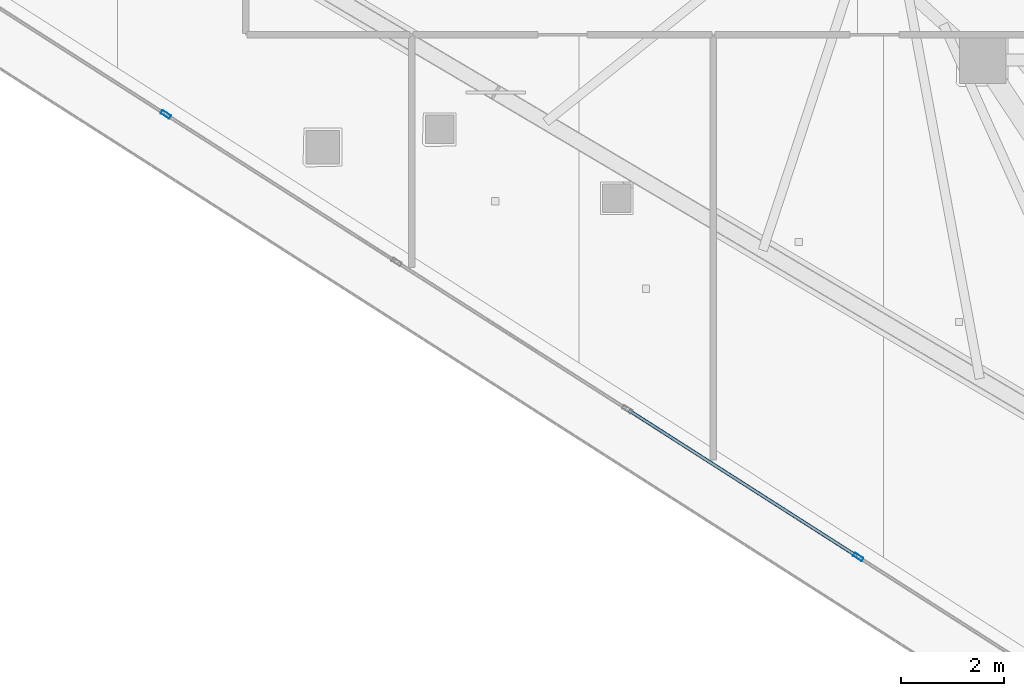
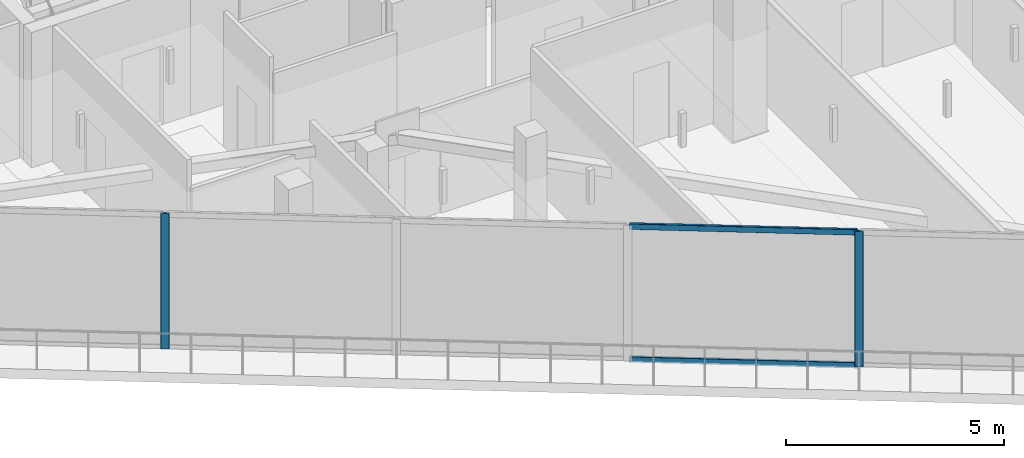
# One storey, part 2 of 40: 4 members, 1 element without a shape of its own.
"""IFC4 building model written with IfcOpenShell, lengths in metres."""

import ifcopenshell
import ifcopenshell.guid

model = None  # the IFC model being written
_history = None  # IfcOwnerHistory: only IFC2X3 demands one
_inside = {}  # id of a spatial element -> (the spatial element, [elements in it])
_under = {}  # id of a project, library or spatial element -> (it, [spatial elements below it])
_declared = {}  # id of a project -> (the project, [libraries it declares])
_typed = {}  # id of a type object -> (the type object, [elements of that type])
_made_of = {}  # id of a material, layer set ... -> (it, [elements and type objects made of it])


def new_model(schema):
    """Start an empty IFC model of exactly this schema.

    Asked for "IFC4X3", IfcOpenShell would pick the latest addendum, in which some entities
    have other attributes; the version numbers below select the first issue.
    IFC2X3 requires an IfcOwnerHistory on every rooted entity: one is made here for all.
    """
    global model, _history
    if schema == "IFC4X3":
        model = ifcopenshell.file(schema_version=(4, 3, 0, 0))
    else:
        model = ifcopenshell.file(schema=schema)
    _inside.clear()
    _under.clear()
    _declared.clear()
    _typed.clear()
    _made_of.clear()
    _history = None
    if model.schema == "IFC2X3":
        org = make("IfcOrganization", Name="unknown")
        user = make(
            "IfcPersonAndOrganization",
            ThePerson=make("IfcPerson", FamilyName="unknown"),
            TheOrganization=org,
        )
        app = make(
            "IfcApplication",
            ApplicationDeveloper=org,
            Version="unknown",
            ApplicationFullName="unknown",
            ApplicationIdentifier="unknown",
        )
        _history = make(
            "IfcOwnerHistory",
            OwningUser=user,
            OwningApplication=app,
            ChangeAction="ADDED",
            CreationDate=0,
        )
    return model


def make(cls, **values):
    """One entity of the class cls with the attributes given. An attribute that is None is left unset."""
    return model.create_entity(
        cls, **{name: value for name, value in values.items() if value is not None}
    )


def rooted(cls, **values):
    """An entity with a GlobalId (a new one), such as an element, a storey or a relation."""
    return make(cls, GlobalId=ifcopenshell.guid.new(), OwnerHistory=_history, **values)


def si_unit(unit_type, name, prefix=None):
    """IfcSIUnit, for example si_unit("LENGTHUNIT", "METRE", prefix="MILLI")."""
    return make("IfcSIUnit", UnitType=unit_type, Prefix=prefix, Name=name)


def assignment(units):
    """IfcUnitAssignment: the units of a project."""
    return None if units is None else make("IfcUnitAssignment", Units=units)


def point(xyz):
    """IfcCartesianPoint."""
    return None if xyz is None else make("IfcCartesianPoint", Coordinates=xyz)


def direction(xyz):
    """IfcDirection."""
    return None if xyz is None else make("IfcDirection", DirectionRatios=xyz)


def frame(location, z_axis=None, x_axis=None):
    """IfcAxis2Placement3D, a coordinate frame: its origin and axes. An axis left out is left unset."""
    return make(
        "IfcAxis2Placement3D",
        Location=point(location),
        Axis=direction(z_axis),
        RefDirection=direction(x_axis),
    )


def frame_2d(location, x_axis=None):
    """IfcAxis2Placement2D, a coordinate frame in the plane: its origin and x axis."""
    return make(
        "IfcAxis2Placement2D", Location=point(location), RefDirection=direction(x_axis)
    )


def origin():
    """The frame at (0, 0, 0) with its axes left unset."""
    return frame((0.0, 0.0, 0.0))


def origin_2d():
    """The frame at (0, 0) in the plane with its x axis left unset."""
    return frame_2d((0.0, 0.0))


def place(relative_to, where):
    """IfcLocalPlacement: puts the frame where relative to a parent placement (None: the world)."""
    return make(
        "IfcLocalPlacement", PlacementRelTo=relative_to, RelativePlacement=where
    )


def context(
    kind, dimensions, precision=None, world=None, true_north=None, identifier=None
):
    """IfcGeometricRepresentationContext, for example the 3D "Model" context."""
    return make(
        "IfcGeometricRepresentationContext",
        ContextIdentifier=identifier,
        ContextType=kind,
        CoordinateSpaceDimension=dimensions,
        Precision=precision,
        WorldCoordinateSystem=world,
        TrueNorth=true_north,
    )


def subcontext(parent, identifier, kind, view, scale=None):
    """IfcGeometricRepresentationSubContext, for example "Body" below "Model"."""
    return make(
        "IfcGeometricRepresentationSubContext",
        ContextIdentifier=identifier,
        ContextType=kind,
        ParentContext=parent,
        TargetScale=scale,
        TargetView=view,
    )


def project(units=None, contexts=None):
    """IfcProject with its units and contexts."""
    return rooted(
        "IfcProject",
        Name="project",
        RepresentationContexts=contexts,
        UnitsInContext=assignment(units),
    )


def spatial(cls, under=None, at=None, **own):
    """A site, building, storey or space (cls), placed at a placement, below another one or the project."""
    s = rooted(cls, ObjectPlacement=at, **own)
    if under is not None:
        _under.setdefault(under.id(), (under, []))[1].append(s)
    return s


def profile(cls, at=None, kind="AREA", **sizes):
    """A parametric profile (cls). Its sizes go by their IFC names, for example OverallWidth=200.0."""
    return make(cls, ProfileType=kind, Position=at, **sizes)


def hollow_rectangle(**sizes):
    """IfcRectangleHollowProfileDef."""
    return profile("IfcRectangleHollowProfileDef", **sizes)


def extrude(swept, where, along, depth):
    """IfcExtrudedAreaSolid: the profile swept, set in the frame where, extruded along a direction by depth."""
    return make(
        "IfcExtrudedAreaSolid",
        SweptArea=swept,
        Position=where,
        ExtrudedDirection=direction(along),
        Depth=depth,
    )


def shape(context_of_items, identifier, shape_type, items):
    """IfcShapeRepresentation: the items that make up one representation, for example the "Body"."""
    return make(
        "IfcShapeRepresentation",
        ContextOfItems=context_of_items,
        RepresentationIdentifier=identifier,
        RepresentationType=shape_type,
        Items=items,
    )


def material(Name=None, Category=None):
    """IfcMaterial."""
    return make("IfcMaterial", Name=Name, Category=Category)


def layer(
    of_material, thickness, ventilated=None, Name=None, Category=None, Priority=None
):
    """IfcMaterialLayer: one layer of a wall or slab, of a material (None: an air gap)."""
    return make(
        "IfcMaterialLayer",
        Material=of_material,
        LayerThickness=thickness,
        IsVentilated=ventilated,
        Name=Name,
        Category=Category,
        Priority=Priority,
    )


def layer_set(layers, Name=None):
    """IfcMaterialLayerSet."""
    return make("IfcMaterialLayerSet", MaterialLayers=layers, LayerSetName=Name)


def material_profile(
    of_material, cross_section, Name=None, Category=None, Priority=None
):
    """IfcMaterialProfile: a cross section and its material."""
    return make(
        "IfcMaterialProfile",
        Name=Name,
        Material=of_material,
        Profile=cross_section,
        Priority=Priority,
        Category=Category,
    )


def profile_set(profiles, Name=None, composite=None):
    """IfcMaterialProfileSet."""
    return make(
        "IfcMaterialProfileSet",
        Name=Name,
        MaterialProfiles=profiles,
        CompositeProfile=composite,
    )


def made_of(thing, what):
    """Note that an element or type object is made of a material, layer set ...; save() writes the relation."""
    if what is not None:
        _made_of.setdefault(what.id(), (what, []))[1].append(thing)
    return thing


def type_object(cls, material=None, **own):
    """A type object (cls), such as IfcWallType, which elements share."""
    return made_of(rooted(cls, **own), material)


def element(
    cls,
    number,
    at=None,
    inside=None,
    cuts=None,
    type_object=None,
    material=None,
    context=None,
    identifier="Body",
    shape_type=None,
    held_by="IfcProductDefinitionShape",
    body=None,
    shapes=None,
    **own,
):
    """One element of the class cls, such as IfcWall. Its Tag is "e" and its number.

    at: its placement. inside: the storey or other place that contains it. cuts: it is an
    opening in that element (IfcRelVoidsElement). A single representation is given by context,
    identifier, shape_type and body (its items); several are given by shapes. held_by: the class
    of the entity that holds the representations. save() writes the other relations.
    """
    e = rooted(cls, Tag="e%d" % number, ObjectPlacement=at, **own)
    if body is not None:
        shapes = [shape(context, identifier, shape_type, body)]
    if shapes is not None:
        e.Representation = make(held_by, Representations=shapes)
    if inside is not None:
        _inside.setdefault(inside.id(), (inside, []))[1].append(e)
    if cuts is not None:
        rooted(
            "IfcRelVoidsElement", RelatingBuildingElement=cuts, RelatedOpeningElement=e
        )
    if type_object is not None:
        _typed.setdefault(type_object.id(), (type_object, []))[1].append(e)
    return made_of(e, material)


def aggregate(whole, parts):
    """IfcRelAggregates: a whole, such as a stair, and the parts it consists of."""
    return rooted("IfcRelAggregates", RelatingObject=whole, RelatedObjects=parts)


def save(model, path):
    """Write the relations noted so far, then the file.

    IfcRelAggregates (storeys below a building ...), IfcRelContainedInSpatialStructure (elements
    in a storey), IfcRelDefinesByType, IfcRelAssociatesMaterial and IfcRelDeclares: one each for
    every whole, place, type object, material and project.
    """
    for whole, parts in _under.values():
        aggregate(whole, parts)
    for where, things in _inside.values():
        rooted(
            "IfcRelContainedInSpatialStructure",
            RelatedElements=things,
            RelatingStructure=where,
        )
    for kind, things in _typed.values():
        rooted("IfcRelDefinesByType", RelatedObjects=things, RelatingType=kind)
    for what, things in _made_of.values():
        rooted("IfcRelAssociatesMaterial", RelatedObjects=things, RelatingMaterial=what)
    for by, libraries in _declared.values():
        rooted("IfcRelDeclares", RelatingContext=by, RelatedDefinitions=libraries)
    model.write(path)


model = new_model("IFC4")

# Units and contexts
model_context = context("Model", 3, precision=1e-05, world=origin(), true_north=direction((0.0, 1.0)))
body_context = subcontext(model_context, "Body", "Model", "MODEL_VIEW")
ifc_project = project(units=[si_unit("LENGTHUNIT", "METRE"), si_unit("AREAUNIT", "SQUARE_METRE"), si_unit("VOLUMEUNIT", "CUBIC_METRE"), si_unit("PLANEANGLEUNIT", "RADIAN"), si_unit("MASSUNIT", "GRAM", prefix="KILO")], contexts=[model_context])

# Site, building, storey
site_placement = place(None, origin())
site = spatial("IfcSite", under=ifc_project, at=site_placement, CompositionType="ELEMENT")
building_placement = place(site_placement, origin())
building = spatial("IfcBuilding", under=site, at=building_placement, Name="Qorvath Tower", CompositionType="ELEMENT")
storey_placement = place(building_placement, frame((0.0, 0.0, 225.300048828125)))
storey = spatial("IfcBuildingStorey", under=building, at=storey_placement, Name="L52", CompositionType="ELEMENT", Elevation=225.300048828125)

# Curtain wall, members
ifc_material_1 = material(Name="Anodised aluminium and triple low-E glass", Category="aluminium")
ifc_layer = layer(ifc_material_1, 0.179931640625)
ifc_layer_set = layer_set([ifc_layer], Name="CW-SYS-5")
curtain_wall_type = type_object("IfcCurtainWallType", Name="CW-SYS-5", PredefinedType="NOTDEFINED", material=ifc_layer_set)
curtain_wall_placement = place(storey_placement, origin())
curtain_wall = element("IfcCurtainWall", 1, at=curtain_wall_placement, inside=storey, type_object=curtain_wall_type, Name="Curtain Wall CW-5 CW-T-L52-4.1", PredefinedType="NOTDEFINED")
ifc_material_2 = material(Name="Anodised aluminium 6063-T6", Category="aluminium")
ifc_material_profile_1 = material_profile(ifc_material_2, hollow_rectangle(XDim=0.074951171875, YDim=0.199951171875, WallThickness=0.00390625, InnerFilletRadius=0.00390625, OuterFilletRadius=0.008056640625, at=origin_2d()), Name="CWM 200x75")
ifc_profile_set_1 = profile_set([ifc_material_profile_1], Name="Anodised aluminium 6063-T6")
member_type_1 = type_object("IfcMemberType", Name="CWM-200", PredefinedType="MULLION", material=ifc_profile_set_1)
member_1_placement = place(storey_placement, frame((-39.405029296875, -12.50341796875, 0.0), z_axis=(0.0, 0.0, 1.0), x_axis=(0.538529366974, 0.84260674155, 0.0)))
member_1 = element("IfcMember", 2, at=member_1_placement, type_object=member_type_1, Name="CW-5 mullion 3", PredefinedType="MULLION", context=body_context, shape_type="SweptSolid", body=[
    extrude(hollow_rectangle(XDim=0.074951171875, YDim=0.199951171875, WallThickness=0.00390625, InnerFilletRadius=0.00390625, OuterFilletRadius=0.008056640625, at=origin_2d()), origin(), (0.0, 0.0, 1.0), 3.780029296875),
])
member_2_placement = place(storey_placement, frame((-26.007080078125, -21.066162109375, 0.0), z_axis=(0.0, 0.0, 1.0), x_axis=(0.538529366974, 0.84260674155, 0.0)))
member_2 = element("IfcMember", 3, at=member_2_placement, type_object=member_type_1, Name="CW-5 mullion 6", PredefinedType="MULLION", context=body_context, shape_type="SweptSolid", body=[
    extrude(hollow_rectangle(XDim=0.074951171875, YDim=0.199951171875, WallThickness=0.00390625, InnerFilletRadius=0.00390625, OuterFilletRadius=0.008056640625, at=origin_2d()), origin(), (0.0, 0.0, 1.0), 3.780029296875),
])
ifc_material_3 = material(Name="Anodised aluminium 6063-T6", Category="aluminium")
ifc_material_profile_2 = material_profile(ifc_material_3, hollow_rectangle(XDim=0.06494140625, YDim=0.159912109375, WallThickness=0.00341796875, InnerFilletRadius=0.00341796875, OuterFilletRadius=0.007080078125, at=origin_2d()), Name="CWT 160x65")
ifc_profile_set_2 = profile_set([ifc_material_profile_2], Name="Anodised aluminium 6063-T6")
member_type_2 = type_object("IfcMemberType", Name="CWT-160", PredefinedType="USERDEFINED", material=ifc_profile_set_2)
member_3_placement = place(storey_placement, frame((-30.44140625, -18.232177734375, 0.032470703125), z_axis=(0.842605566515, -0.538531205482, 0.0), x_axis=(0.538531205482, 0.842605566515, 0.0)))
member_3 = element("IfcMember", 4, at=member_3_placement, type_object=member_type_2, Name="CW-5 transom 5.1", ObjectType="TRANSOM", PredefinedType="USERDEFINED", context=body_context, shape_type="SweptSolid", body=[
    extrude(hollow_rectangle(XDim=0.06494140625, YDim=0.159912109375, WallThickness=0.00341796875, InnerFilletRadius=0.00341796875, OuterFilletRadius=0.007080078125, at=origin_2d()), origin(), (0.0, 0.0, 1.0), 5.225341796875),
])
member_4_placement = place(storey_placement, frame((-30.44140625, -18.232177734375, 3.74755859375), z_axis=(0.842605566515, -0.538531205482, 0.0), x_axis=(0.538531205482, 0.842605566515, 0.0)))
member_4 = element("IfcMember", 5, at=member_4_placement, type_object=member_type_2, Name="CW-5 transom 5.2", ObjectType="TRANSOM", PredefinedType="USERDEFINED", context=body_context, shape_type="SweptSolid", body=[
    extrude(hollow_rectangle(XDim=0.06494140625, YDim=0.159912109375, WallThickness=0.00341796875, InnerFilletRadius=0.00341796875, OuterFilletRadius=0.007080078125, at=origin_2d()), origin(), (0.0, 0.0, 1.0), 5.225341796875),
])
aggregate(curtain_wall, [member_1, member_2, member_3, member_4])

save(model, "model.ifc")
